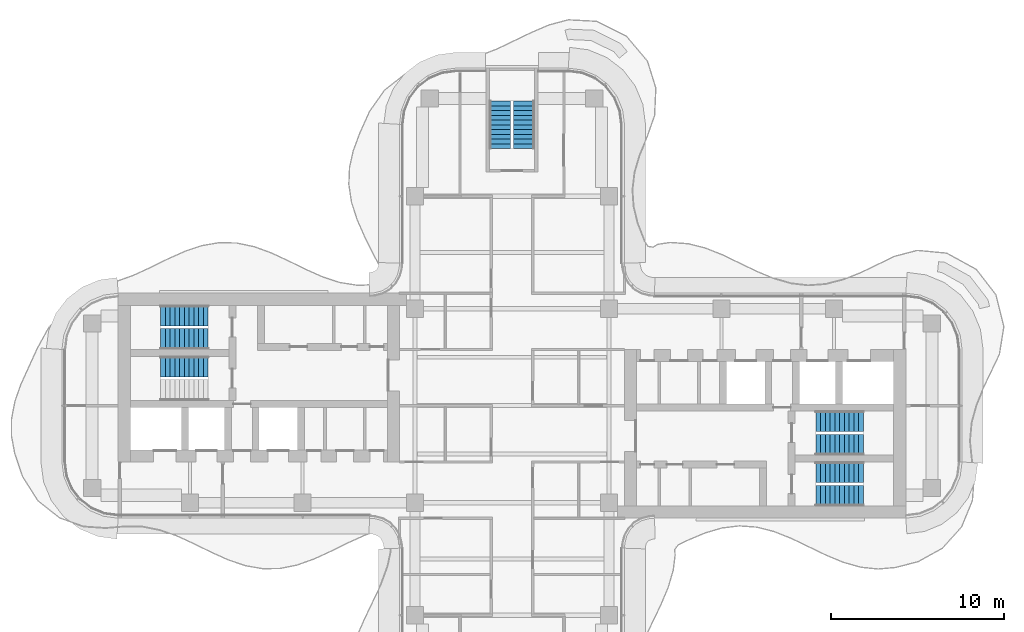
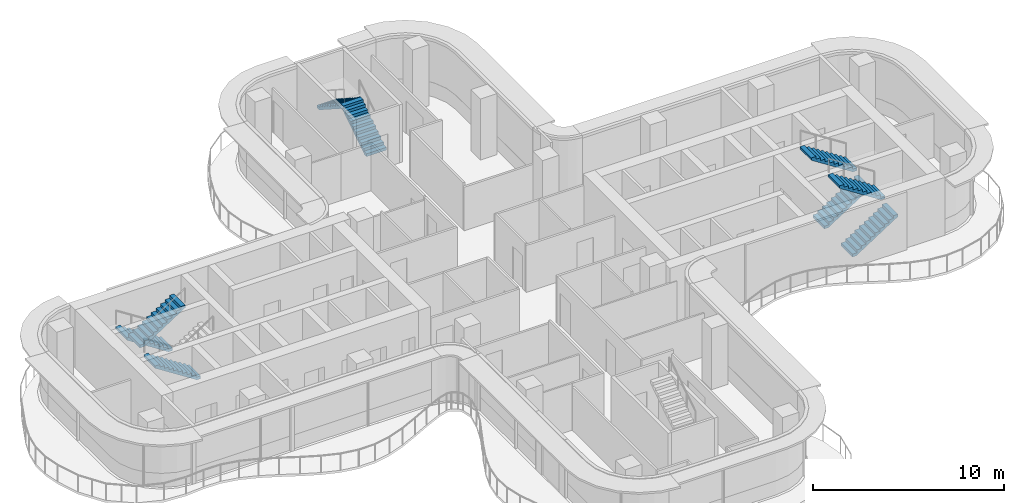
# One storey, part 14 of 16: 9 stair flights, 5 elements without a shape of their own.
"""IFC4 building model written with IfcOpenShell, lengths in metres."""

from ifc_helpers import new_model, si_unit, direction, frame, origin, place, context, subcontext, project, spatial, polyline, outline, extrude, source, transform, mapped, material, type_object, element, aggregate, save


model = new_model("IFC4")

# Units and contexts
model_context = context("Model", 3, precision=1e-05, world=origin(), true_north=direction((0.0, 1.0)))
body_context = subcontext(model_context, "Body", "Model", "MODEL_VIEW")
ifc_project = project(units=[si_unit("LENGTHUNIT", "METRE"), si_unit("AREAUNIT", "SQUARE_METRE"), si_unit("VOLUMEUNIT", "CUBIC_METRE"), si_unit("PLANEANGLEUNIT", "RADIAN"), si_unit("MASSUNIT", "GRAM", prefix="KILO")], contexts=[model_context])

# Site, building, storey
site_placement = place(None, origin())
site = spatial("IfcSite", under=ifc_project, at=site_placement, CompositionType="ELEMENT")
building_placement = place(site_placement, origin())
building = spatial("IfcBuilding", under=site, at=building_placement, Name="Trellis Farm Tower", CompositionType="ELEMENT")
storey_placement = place(building_placement, frame((0.0, 0.0, 306.699951171875)))
storey = spatial("IfcBuildingStorey", under=building, at=storey_placement, Name="L69", CompositionType="ELEMENT", Elevation=306.699951171875)

# Stair, stair flights
ifc_material = material(Name="Concrete C50/60", Category="concrete")
stair_type = type_object("IfcStairType", Name="CORE EXIT STAIR 22 RISERS 177 MM", PredefinedType="HALF_TURN_STAIR", material=ifc_material)
placement = place(storey_placement, origin())
stair_1 = element("IfcStair", 1, at=placement, inside=storey, type_object=stair_type, Name="Exit stair N", PredefinedType="HALF_TURN_STAIR")
stair_flight_type = type_object("IfcStairFlightType", Name="STAIR FLIGHT 11 RISERS 177 MM", PredefinedType="STRAIGHT", material=ifc_material)
shared_shape = source(origin(), body_context, "Body", "SweptSolid", [
    extrude(outline(polyline([(0.0, 0.0), (0.0, 0.17724609375), (0.27490234375, 0.17724609375), (0.27490234375, 0.3544921875), (0.550048828125, 0.3544921875), (0.550048828125, 0.53173828125), (0.824951171875, 0.53173828125), (0.824951171875, 0.708984375), (1.10009765625, 0.708984375), (1.10009765625, 0.886474609375), (1.375, 0.886474609375), (1.375, 1.063720703125), (1.64990234375, 1.063720703125), (1.64990234375, 1.240966796875), (1.925048828125, 1.240966796875), (1.925048828125, 1.418212890625), (2.199951171875, 1.418212890625), (2.199951171875, 1.595458984375), (2.47509765625, 1.595458984375), (2.47509765625, 1.772705078125), (2.75, 1.772705078125), (2.75, 1.949951171875), (2.75, 1.6181640625), (0.23974609375, 0.0), (0.0, 0.0)])), frame((0.0, 0.60009765625, 0.0), z_axis=(0.0, -1.0, 0.0), x_axis=(1.0, 0.0, 0.0)), (0.0, 0.0, 1.0), 1.199951171875),
])
stair_flight_1_placement = place(storey_placement, frame((0.699951171875, 14.85009765625, 0.0), z_axis=(0.0, 0.0, 1.0), x_axis=(0.0, 1.0, 0.0)))
stair_flight_1 = element("IfcStairFlight", 2, at=stair_flight_1_placement, type_object=stair_flight_type, Name="STN flight 1", NumberOfRisers=11, NumberOfTreads=10, PredefinedType="STRAIGHT", RiserHeight=0.177272727, TreadLength=0.275, context=body_context, shape_type="MappedRepresentation", body=[
    mapped(shared_shape, transform((0.0, 0.0, 0.0))),
])
stair_flight_2_placement = place(storey_placement, frame((-0.699951171875, 17.60009765625, 1.949951171875), z_axis=(0.0, 0.0, 1.0), x_axis=(0.0, -1.0, 0.0)))
stair_flight_2 = element("IfcStairFlight", 3, at=stair_flight_2_placement, type_object=stair_flight_type, Name="STN flight 2", NumberOfRisers=11, NumberOfTreads=10, PredefinedType="STRAIGHT", RiserHeight=0.177272727, TreadLength=0.275, context=body_context, shape_type="MappedRepresentation", body=[
    mapped(shared_shape, transform((0.0, 0.0, 0.0))),
])
aggregate(stair_1, [stair_flight_1, stair_flight_2])

stair_2 = element("IfcStair", 4, at=placement, inside=storey, type_object=stair_type, Name="Exit stair E1", PredefinedType="HALF_TURN_STAIR")
stair_flight_3_placement = place(storey_placement, frame((17.550048828125, -5.199951171875, 0.0), z_axis=(0.0, 0.0, 1.0), x_axis=(1.0, 0.0, 0.0)))
stair_flight_3 = element("IfcStairFlight", 5, at=stair_flight_3_placement, type_object=stair_flight_type, Name="STE1 flight 1", NumberOfRisers=11, NumberOfTreads=10, PredefinedType="STRAIGHT", RiserHeight=0.177272727, TreadLength=0.275, context=body_context, shape_type="MappedRepresentation", body=[
    mapped(shared_shape, transform((0.0, 0.0, 0.0))),
])
stair_flight_4_placement = place(storey_placement, frame((20.300048828125, -3.85009765625, 1.949951171875), z_axis=(0.0, 0.0, 1.0), x_axis=(-1.0, 0.0, 0.0)))
stair_flight_4 = element("IfcStairFlight", 6, at=stair_flight_4_placement, type_object=stair_flight_type, Name="STE1 flight 2", NumberOfRisers=11, NumberOfTreads=10, PredefinedType="STRAIGHT", RiserHeight=0.177272727, TreadLength=0.275, context=body_context, shape_type="MappedRepresentation", body=[
    mapped(shared_shape, transform((0.0, 0.0, 0.0))),
])
aggregate(stair_2, [stair_flight_3, stair_flight_4])

stair_3 = element("IfcStair", 7, at=placement, inside=storey, type_object=stair_type, Name="Exit stair E2", PredefinedType="HALF_TURN_STAIR")
stair_flight_5_placement = place(storey_placement, frame((17.550048828125, -2.25, 0.0), z_axis=(0.0, 0.0, 1.0), x_axis=(1.0, 0.0, 0.0)))
stair_flight_5 = element("IfcStairFlight", 8, at=stair_flight_5_placement, type_object=stair_flight_type, Name="STE2 flight 1", NumberOfRisers=11, NumberOfTreads=10, PredefinedType="STRAIGHT", RiserHeight=0.177272727, TreadLength=0.275, context=body_context, shape_type="MappedRepresentation", body=[
    mapped(shared_shape, transform((0.0, 0.0, 0.0))),
])
stair_flight_6_placement = place(storey_placement, frame((20.300048828125, -0.89990234375, 1.949951171875), z_axis=(0.0, 0.0, 1.0), x_axis=(-1.0, 0.0, 0.0)))
stair_flight_6 = element("IfcStairFlight", 9, at=stair_flight_6_placement, type_object=stair_flight_type, Name="STE2 flight 2", NumberOfRisers=11, NumberOfTreads=10, PredefinedType="STRAIGHT", RiserHeight=0.177272727, TreadLength=0.275, context=body_context, shape_type="MappedRepresentation", body=[
    mapped(shared_shape, transform((0.0, 0.0, 0.0))),
])
aggregate(stair_3, [stair_flight_5, stair_flight_6])

stair_4 = element("IfcStair", 10, at=placement, inside=storey, type_object=stair_type, Name="Exit stair W1", PredefinedType="HALF_TURN_STAIR")
stair_flight_7_placement = place(storey_placement, frame((-17.550048828125, 5.199951171875, 0.0), z_axis=(0.0, 0.0, 1.0), x_axis=(-1.0, 0.0, 0.0)))
stair_flight_7 = element("IfcStairFlight", 11, at=stair_flight_7_placement, type_object=stair_flight_type, Name="STW1 flight 1", NumberOfRisers=11, NumberOfTreads=10, PredefinedType="STRAIGHT", RiserHeight=0.177272727, TreadLength=0.275, context=body_context, shape_type="MappedRepresentation", body=[
    mapped(shared_shape, transform((0.0, 0.0, 0.0))),
])
stair_flight_8_placement = place(storey_placement, frame((-20.300048828125, 3.85009765625, 1.949951171875), z_axis=(0.0, 0.0, 1.0), x_axis=(1.0, 0.0, 0.0)))
stair_flight_8 = element("IfcStairFlight", 12, at=stair_flight_8_placement, type_object=stair_flight_type, Name="STW1 flight 2", NumberOfRisers=11, NumberOfTreads=10, PredefinedType="STRAIGHT", RiserHeight=0.177272727, TreadLength=0.275, context=body_context, shape_type="MappedRepresentation", body=[
    mapped(shared_shape, transform((0.0, 0.0, 0.0))),
])
aggregate(stair_4, [stair_flight_7, stair_flight_8])

# Stair, stair flight
stair_5 = element("IfcStair", 13, at=placement, inside=storey, type_object=stair_type, Name="Exit stair W2", PredefinedType="HALF_TURN_STAIR")
stair_flight_9_placement = place(storey_placement, frame((-17.550048828125, 2.25, 0.0), z_axis=(0.0, 0.0, 1.0), x_axis=(-1.0, 0.0, 0.0)))
stair_flight_9 = element("IfcStairFlight", 14, at=stair_flight_9_placement, type_object=stair_flight_type, Name="STW2 flight 1", NumberOfRisers=11, NumberOfTreads=10, PredefinedType="STRAIGHT", RiserHeight=0.177272727, TreadLength=0.275, context=body_context, shape_type="MappedRepresentation", body=[
    mapped(shared_shape, transform((0.0, 0.0, 0.0))),
])
aggregate(stair_5, [stair_flight_9])

save(model, "model.ifc")
